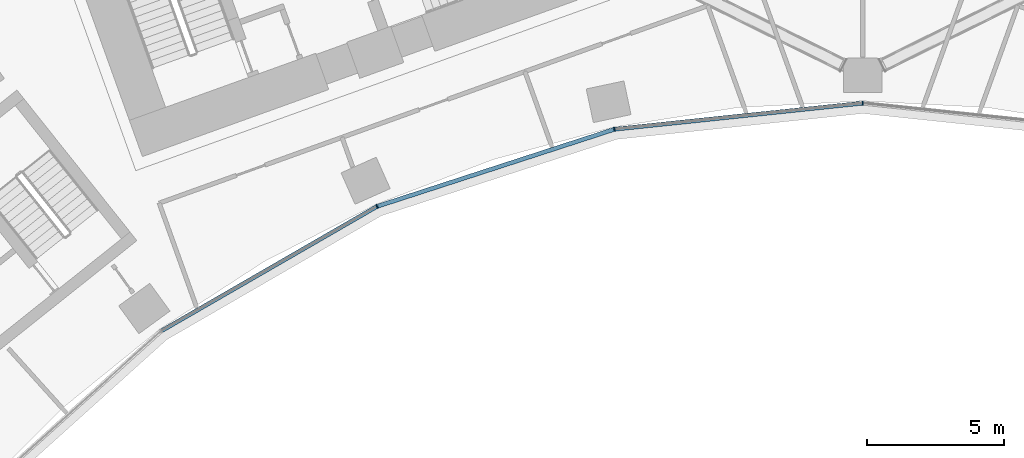
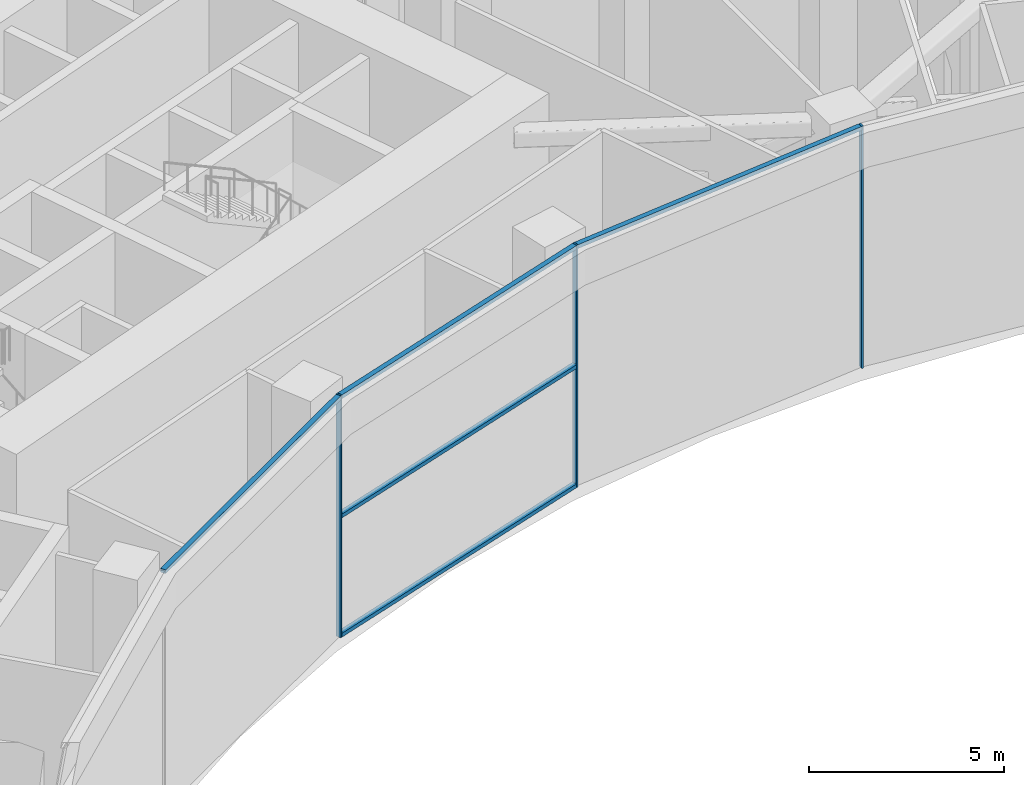
# One storey, part 5 of 33: 8 members, 1 element without a shape of its own.
"""IFC4 building model written with IfcOpenShell, lengths in metres."""

from ifc_helpers import new_model, si_unit, direction, frame, origin, origin_2d, place, context, subcontext, project, spatial, rectangle, extrude, material, layer, layer_set, material_profile, profile_set, type_object, element, aggregate, save


model = new_model("IFC4")

# Units and contexts
model_context = context("Model", 3, precision=1e-05, world=origin(), true_north=direction((0.0, 1.0)))
body_context = subcontext(model_context, "Body", "Model", "MODEL_VIEW")
ifc_project = project(units=[si_unit("LENGTHUNIT", "METRE"), si_unit("AREAUNIT", "SQUARE_METRE"), si_unit("VOLUMEUNIT", "CUBIC_METRE"), si_unit("PLANEANGLEUNIT", "RADIAN"), si_unit("MASSUNIT", "GRAM", prefix="KILO")], contexts=[model_context])

# Site, building, storey
site_placement = place(None, origin())
site = spatial("IfcSite", under=ifc_project, at=site_placement, CompositionType="ELEMENT")
building_placement = place(site_placement, origin())
building = spatial("IfcBuilding", under=site, at=building_placement, Name="Stone Belt Terrace Tower", CompositionType="ELEMENT")
storey_placement = place(building_placement, frame((0.0, 0.0, 79.39990234375)))
storey = spatial("IfcBuildingStorey", under=building, at=storey_placement, Name="L19", CompositionType="ELEMENT", Elevation=79.39990234375)

# Curtain wall, members
ifc_material = material(Name="Aluminium 6063-T6 anodised frame", Category="aluminium")
ifc_layer = layer(ifc_material, 0.14990234375)
ifc_layer_set = layer_set([ifc_layer], Name="CW-B unitised concave-face curtain wall")
curtain_wall_type = type_object("IfcCurtainWallType", Name="CW-B unitised concave-face curtain wall", PredefinedType="NOTDEFINED", material=ifc_layer_set)
curtain_wall_placement = place(storey_placement, origin())
curtain_wall = element("IfcCurtainWall", 1, at=curtain_wall_placement, inside=storey, type_object=curtain_wall_type, Name="CW-B concave face L19", PredefinedType="NOTDEFINED")
ifc_material_profile_1 = material_profile(ifc_material, rectangle(XDim=0.14990234375, YDim=0.050048828125, at=origin_2d()), Name="Aluminium 6063-T6 50x150")
ifc_profile_set_1 = profile_set([ifc_material_profile_1], Name="Aluminium 6063-T6 anodised frame")
member_type_1 = type_object("IfcMemberType", Name="CW-B mullion 50 x 150", PredefinedType="MULLION", material=ifc_profile_set_1)
member_1_placement = place(storey_placement, frame((-17.662353515625, 39.67041015625, 0.0), z_axis=(0.0, 0.0, 1.0), x_axis=(-0.406736643076, 0.913545457643, 0.0)))
member_1 = element("IfcMember", 2, at=member_1_placement, type_object=member_type_1, Name="CW-B mullion 4", PredefinedType="MULLION", context=body_context, shape_type="SweptSolid", body=[
    extrude(rectangle(XDim=0.14990234375, YDim=0.050048828125, at=origin_2d()), origin(), (0.0, 0.0, 1.0), 7.60009765625),
])
member_2_placement = place(storey_placement, frame((-9.028564453125, 42.4755859375, 0.0), z_axis=(0.0, 0.0, 1.0), x_axis=(-0.207911690818, 0.978147600734, 0.0)))
member_2 = element("IfcMember", 3, at=member_2_placement, type_object=member_type_1, Name="CW-B mullion 5", PredefinedType="MULLION", context=body_context, shape_type="SweptSolid", body=[
    extrude(rectangle(XDim=0.14990234375, YDim=0.050048828125, at=origin_2d()), origin(), (0.0, 0.0, 1.0), 7.60009765625),
])
member_3_placement = place(storey_placement, frame((0.0, 43.424560546875, 0.0), z_axis=(0.0, 0.0, 1.0), x_axis=(0.0, 1.0, 0.0)))
member_3 = element("IfcMember", 4, at=member_3_placement, type_object=member_type_1, Name="CW-B mullion 6", PredefinedType="MULLION", context=body_context, shape_type="SweptSolid", body=[
    extrude(rectangle(XDim=0.14990234375, YDim=0.050048828125, at=origin_2d()), origin(), (0.0, 0.0, 1.0), 7.60009765625),
])
ifc_material_profile_2 = material_profile(ifc_material, rectangle(XDim=0.14990234375, YDim=0.1201171875, at=origin_2d()), Name="Aluminium 6063-T6 150x120")
ifc_profile_set_2 = profile_set([ifc_material_profile_2], Name="Aluminium 6063-T6 anodised frame")
member_type_2 = type_object("IfcMemberType", Name="CW-B transom 120 x 150", PredefinedType="USERDEFINED", material=ifc_profile_set_2)
member_4_placement = place(storey_placement, frame((-25.49609375, 35.1474609375, 7.5400390625), z_axis=(0.866019133895, 0.500010859609, 0.0), x_axis=(-0.500010859609, 0.866019133895, 0.0)))
member_4 = element("IfcMember", 5, at=member_4_placement, type_object=member_type_2, Name="CW-B transom 3.1", ObjectType="TRANSOM", PredefinedType="USERDEFINED", context=body_context, shape_type="SweptSolid", body=[
    extrude(rectangle(XDim=0.14990234375, YDim=0.1201171875, at=origin_2d()), origin(), (0.0, 0.0, 1.0), 9.012939453125),
])
member_5_placement = place(storey_placement, frame((-17.63134765625, 39.680419921875, 0.06005859375), z_axis=(0.951055963285, 0.309018696359, 0.0), x_axis=(-0.309018696359, 0.951055963285, 0.0)))
member_5 = element("IfcMember", 6, at=member_5_placement, type_object=member_type_2, Name="CW-B transom 4.1", ObjectType="TRANSOM", PredefinedType="USERDEFINED", context=body_context, shape_type="SweptSolid", body=[
    extrude(rectangle(XDim=0.14990234375, YDim=0.1201171875, at=origin_2d()), origin(), (0.0, 0.0, 1.0), 9.012939453125),
])
member_6_placement = place(storey_placement, frame((-17.63134765625, 39.680419921875, 3.800048828125), z_axis=(0.951055963285, 0.309018696359, 0.0), x_axis=(-0.309018696359, 0.951055963285, 0.0)))
member_6 = element("IfcMember", 7, at=member_6_placement, type_object=member_type_2, Name="CW-B transom 4.2", ObjectType="TRANSOM", PredefinedType="USERDEFINED", context=body_context, shape_type="SweptSolid", body=[
    extrude(rectangle(XDim=0.14990234375, YDim=0.1201171875, at=origin_2d()), origin(), (0.0, 0.0, 1.0), 9.012939453125),
])
member_7_placement = place(storey_placement, frame((-17.63134765625, 39.680419921875, 7.5400390625), z_axis=(0.951055963285, 0.309018696359, 0.0), x_axis=(-0.309018696359, 0.951055963285, 0.0)))
member_7 = element("IfcMember", 8, at=member_7_placement, type_object=member_type_2, Name="CW-B transom 4.3", ObjectType="TRANSOM", PredefinedType="USERDEFINED", context=body_context, shape_type="SweptSolid", body=[
    extrude(rectangle(XDim=0.14990234375, YDim=0.1201171875, at=origin_2d()), origin(), (0.0, 0.0, 1.0), 9.012939453125),
])
member_8_placement = place(storey_placement, frame((-8.995849609375, 42.47900390625, 7.5400390625), z_axis=(0.994521323407, 0.104533904969, 0.0), x_axis=(-0.104533904969, 0.994521323407, 0.0)))
member_8 = element("IfcMember", 9, at=member_8_placement, type_object=member_type_2, Name="CW-B transom 5.1", ObjectType="TRANSOM", PredefinedType="USERDEFINED", context=body_context, shape_type="SweptSolid", body=[
    extrude(rectangle(XDim=0.14990234375, YDim=0.1201171875, at=origin_2d()), origin(), (0.0, 0.0, 1.0), 9.0126953125),
])
aggregate(curtain_wall, [member_1, member_2, member_3, member_4, member_5, member_6, member_7, member_8])

save(model, "model.ifc")
